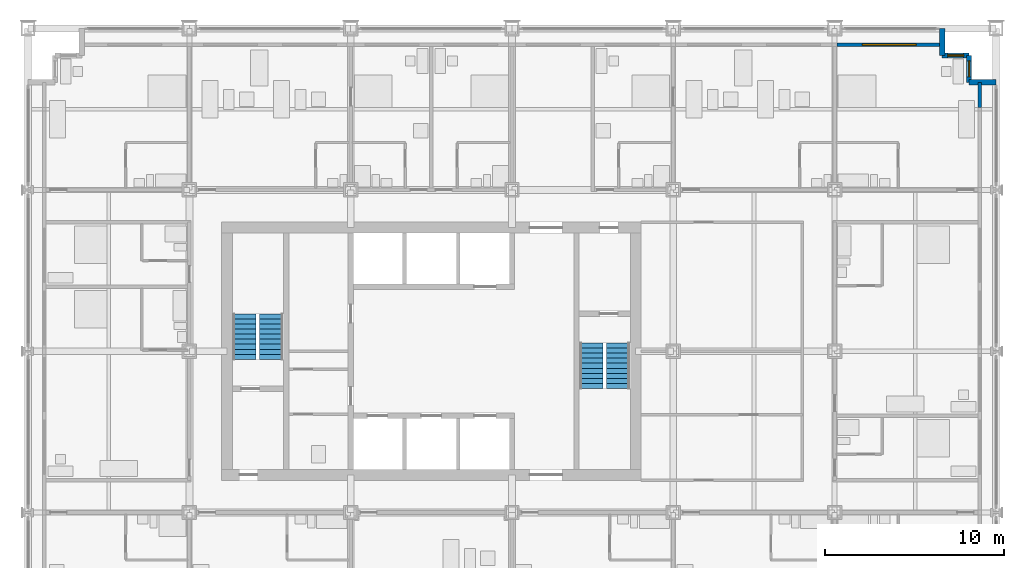
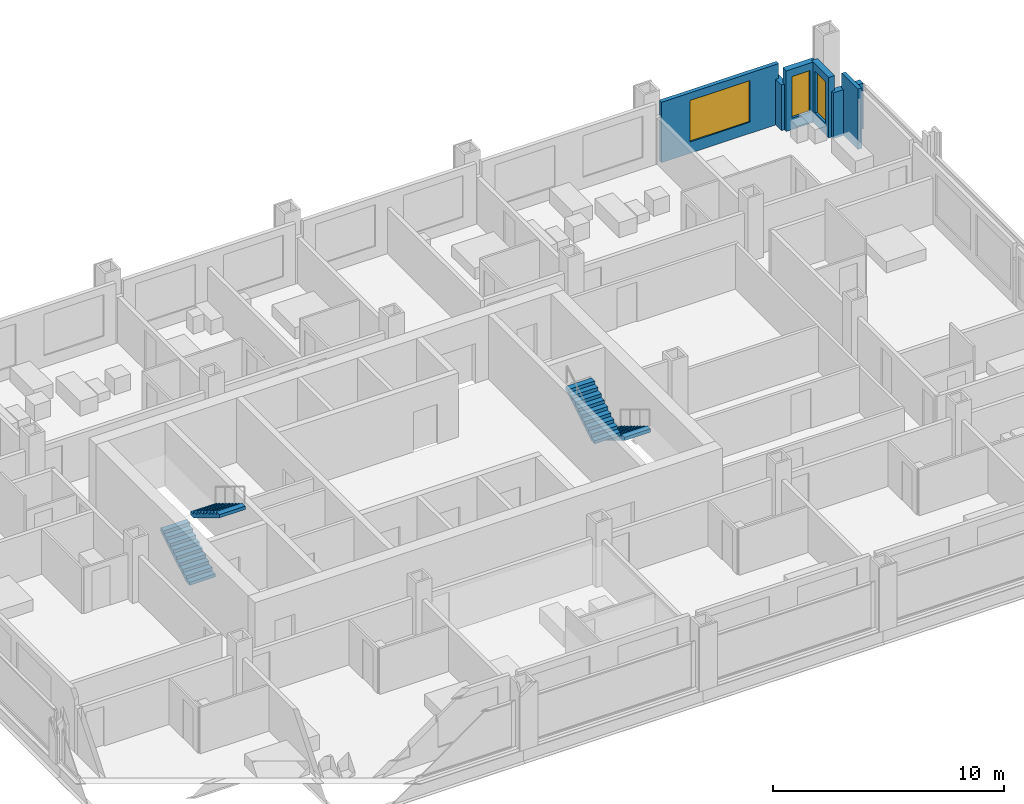
# One storey, part 15 of 18: 6 walls, 4 stair flights, 3 windows, 3 openings, 2 elements without a shape of their own.
"""IFC4 building model written with IfcOpenShell, lengths in metres."""

from ifc_helpers import new_model, si_unit, direction, frame, frame_2d, origin, place, context, subcontext, project, spatial, polyline, rectangle, outline, extrude, material, layer, layer_set, type_object, element, fill, aggregate, save


model = new_model("IFC4")

# Units and contexts
model_context = context("Model", 3, precision=1e-05, world=origin(), true_north=direction((0.0, 1.0)))
body_context = subcontext(model_context, "Body", "Model", "MODEL_VIEW")
ifc_project = project(units=[si_unit("LENGTHUNIT", "METRE"), si_unit("AREAUNIT", "SQUARE_METRE"), si_unit("VOLUMEUNIT", "CUBIC_METRE"), si_unit("PLANEANGLEUNIT", "RADIAN"), si_unit("MASSUNIT", "GRAM", prefix="KILO")], contexts=[model_context])

# Site, building, storey
site_placement = place(None, origin())
site = spatial("IfcSite", under=ifc_project, at=site_placement, CompositionType="ELEMENT")
building_placement = place(site_placement, origin())
building = spatial("IfcBuilding", under=site, at=building_placement, Name="Loomwork Tower", CompositionType="ELEMENT")
storey_placement = place(building_placement, frame((0.0, 0.0, 41.60009765625)))
storey = spatial("IfcBuildingStorey", under=building, at=storey_placement, Name="L09", CompositionType="ELEMENT", Elevation=41.60009765625)

# Wall, opening, window
ifc_material_1 = material(Name="Insulated steel stud wall with gypsum lining", Category="steel")
ifc_layer_1 = layer(ifc_material_1, 0.199951171875)
ifc_layer_set_1 = layer_set([ifc_layer_1], Name="Inner skin wall 200")
wall_type_1 = type_object("IfcWallType", Name="Inner skin wall 200", PredefinedType="SOLIDWALL", material=ifc_layer_set_1)
wall_1_placement = place(storey_placement, frame((45.135498046875, 35.10009765625, 0.0), z_axis=(0.0, 0.0, 1.0), x_axis=(1.0, 0.0, 0.0)))
wall_1 = element("IfcWall", 1, at=wall_1_placement, inside=storey, type_object=wall_type_1, Name="Inner skin wall N bay 11", PredefinedType="SOLIDWALL", context=body_context, shape_type="SweptSolid", body=[
    extrude(rectangle(XDim=5.864501953125, YDim=0.199951171875, at=frame_2d((2.93212890625, 0.0))), origin(), (0.0, 0.0, 1.0), 3.199951171875),
])
opening_1_placement = place(wall_1_placement, frame((1.41455078125, 0.0, 0.60009765625)))
opening_1 = element("IfcOpeningElement", 2, at=opening_1_placement, cuts=wall_1, Name="Opening CH1", PredefinedType="OPENING", context=body_context, shape_type="SweptSolid", body=[
    extrude(rectangle(XDim=3.0, YDim=2.199951171875, at=frame_2d((1.5, 1.10009765625))), frame((0.0, 0.10986328125, 0.0), z_axis=(0.0, -1.0, 0.0), x_axis=(1.0, 0.0, 0.0)), (0.0, 0.0, 1.0), 0.219970703125),
])
ifc_material_2 = material(Name="Aluminium frame with clear insulated glass", Category="aluminium")
window_type_1 = type_object("IfcWindowType", Name="Chicago window 3000", PartitioningType="TRIPLE_PANEL_VERTICAL", PredefinedType="WINDOW", material=ifc_material_2)
window_1_placement = place(opening_1_placement, origin())
window_1 = element("IfcWindow", 3, at=window_1_placement, inside=storey, type_object=window_type_1, Name="Chicago window L09 bay 12", OverallHeight=2.199951171875, OverallWidth=3.0, PartitioningType="TRIPLE_PANEL_VERTICAL", PredefinedType="WINDOW", context=body_context, shape_type="SweptSolid", body=[
    extrude(rectangle(XDim=3.0, YDim=2.199951171875, at=frame_2d((1.5, 1.10009765625))), frame((0.0, 0.030029296875, 0.0), z_axis=(0.0, -1.0, 0.0), x_axis=(1.0, 0.0, 0.0)), (0.0, 0.0, 1.0), 0.06005859375),
])
fill(opening_1, window_1)

# Walls
wall_2_placement = place(storey_placement, frame((53.10009765625, 31.607421875, 0.0), z_axis=(0.0, 0.0, 1.0), x_axis=(0.0, 1.0, 0.0)))
element("IfcWall", 4, at=wall_2_placement, inside=storey, type_object=wall_type_1, Name="Inner skin wall E bay 11", PredefinedType="SOLIDWALL", context=body_context, shape_type="SweptSolid", body=[
    extrude(rectangle(XDim=1.392578125, YDim=0.199951171875, at=frame_2d((0.6962890625, 0.0))), origin(), (0.0, 0.0, 1.0), 3.199951171875),
])
ifc_material_3 = material(Name="Limestone on concrete masonry", Category="masonry")
ifc_layer_2 = layer(ifc_material_3, 0.300048828125)
ifc_layer_set_2 = layer_set([ifc_layer_2], Name="Limestone corner wall 300")
wall_type_2 = type_object("IfcWallType", Name="Limestone corner wall 300", PredefinedType="SOLIDWALL", material=ifc_layer_set_2)
wall_3_placement = place(storey_placement, frame((54.0, 33.0, 0.0), z_axis=(0.0, 0.0, 1.0), x_axis=(-1.0, 0.0, 0.0)))
element("IfcWall", 5, at=wall_3_placement, inside=storey, type_object=wall_type_2, Name="Stone corner wall NE 1", PredefinedType="SOLIDWALL", context=body_context, shape_type="SweptSolid", body=[
    extrude(rectangle(XDim=1.5, YDim=0.300048828125, at=frame_2d((0.75, 0.0))), origin(), (0.0, 0.0, 1.0), 2.419921875),
])

# Wall, opening, window
wall_4_placement = place(storey_placement, frame((52.5, 33.0, 0.0), z_axis=(0.0, 0.0, 1.0), x_axis=(0.0, 1.0, 0.0)))
wall_4 = element("IfcWall", 6, at=wall_4_placement, inside=storey, type_object=wall_type_2, Name="Stone corner wall NE 2", PredefinedType="SOLIDWALL", context=body_context, shape_type="SweptSolid", body=[
    extrude(rectangle(XDim=1.5, YDim=0.300048828125, at=frame_2d((0.75, 0.0))), origin(), (0.0, 0.0, 1.0), 3.199951171875),
])
opening_2_placement = place(wall_4_placement, frame((0.300048828125, 0.0, 0.60009765625)))
opening_2 = element("IfcOpeningElement", 7, at=opening_2_placement, cuts=wall_4, Name="Opening CH2", PredefinedType="OPENING", context=body_context, shape_type="SweptSolid", body=[
    extrude(rectangle(XDim=0.89990234375, YDim=2.199951171875, at=frame_2d((0.449951171875, 1.10009765625))), frame((0.0, 0.159912109375, 0.0), z_axis=(0.0, -1.0, 0.0), x_axis=(1.0, 0.0, 0.0)), (0.0, 0.0, 1.0), 0.320068359375),
])
ifc_material_4 = material(Name="Aluminium frame with clear insulated glass", Category="aluminium")
window_type_2 = type_object("IfcWindowType", Name="Corner window 900", PartitioningType="SINGLE_PANEL", PredefinedType="WINDOW", material=ifc_material_4)
window_2_placement = place(opening_2_placement, origin())
window_2 = element("IfcWindow", 8, at=window_2_placement, inside=storey, type_object=window_type_2, Name="Corner window NE", OverallHeight=2.199951171875, OverallWidth=0.89990234375, PartitioningType="SINGLE_PANEL", PredefinedType="WINDOW", context=body_context, shape_type="SweptSolid", body=[
    extrude(rectangle(XDim=0.89990234375, YDim=2.199951171875, at=frame_2d((0.449951171875, 1.10009765625))), frame((0.0, 0.030029296875, 0.0), z_axis=(0.0, -1.0, 0.0), x_axis=(1.0, 0.0, 0.0)), (0.0, 0.0, 1.0), 0.06005859375),
])
fill(opening_2, window_2)

wall_5_placement = place(storey_placement, frame((52.5, 34.5, 0.0), z_axis=(0.0, 0.0, 1.0), x_axis=(-1.0, 0.0, 0.0)))
wall_5 = element("IfcWall", 9, at=wall_5_placement, inside=storey, type_object=wall_type_2, Name="Stone corner wall NE 3", PredefinedType="SOLIDWALL", context=body_context, shape_type="SweptSolid", body=[
    extrude(rectangle(XDim=1.5, YDim=0.300048828125, at=frame_2d((0.75, 0.0))), origin(), (0.0, 0.0, 1.0), 3.199951171875),
])
opening_3_placement = place(wall_5_placement, frame((0.300048828125, 0.0, 0.60009765625)))
opening_3 = element("IfcOpeningElement", 10, at=opening_3_placement, cuts=wall_5, Name="Opening CH2", PredefinedType="OPENING", context=body_context, shape_type="SweptSolid", body=[
    extrude(rectangle(XDim=0.89990234375, YDim=2.199951171875, at=frame_2d((0.449951171875, 1.10009765625))), frame((0.0, 0.159912109375, 0.0), z_axis=(0.0, -1.0, 0.0), x_axis=(1.0, 0.0, 0.0)), (0.0, 0.0, 1.0), 0.320068359375),
])
window_3_placement = place(opening_3_placement, origin())
window_3 = element("IfcWindow", 11, at=window_3_placement, inside=storey, type_object=window_type_2, Name="Corner window NE", OverallHeight=2.199951171875, OverallWidth=0.89990234375, PartitioningType="SINGLE_PANEL", PredefinedType="WINDOW", context=body_context, shape_type="SweptSolid", body=[
    extrude(rectangle(XDim=0.89990234375, YDim=2.199951171875, at=frame_2d((0.449951171875, 1.10009765625))), frame((0.0, 0.030029296875, 0.0), z_axis=(0.0, -1.0, 0.0), x_axis=(1.0, 0.0, 0.0)), (0.0, 0.0, 1.0), 0.06005859375),
])
fill(opening_3, window_3)

# Wall
wall_6_placement = place(storey_placement, frame((51.0, 34.5, 0.0), z_axis=(0.0, 0.0, 1.0), x_axis=(0.0, 1.0, 0.0)))
element("IfcWall", 12, at=wall_6_placement, inside=storey, type_object=wall_type_2, Name="Stone corner wall NE 4", PredefinedType="SOLIDWALL", context=body_context, shape_type="SweptSolid", body=[
    extrude(rectangle(XDim=1.5, YDim=0.300048828125, at=frame_2d((0.75, 0.0))), origin(), (0.0, 0.0, 1.0), 2.419921875),
])

# Stair, stair flights
ifc_material_5 = material(Name="Concrete 5000 psi (34 MPa) precast stair", Category="concrete")
stair_type_1 = type_object("IfcStairType", Name="Stair ST-A 20 risers 2850 wide", PredefinedType="HALF_TURN_STAIR", material=ifc_material_5)
stair_1_placement = place(storey_placement, origin())
stair_1 = element("IfcStair", 13, at=stair_1_placement, inside=storey, type_object=stair_type_1, Name="Stair A L09", PredefinedType="HALF_TURN_STAIR")
ifc_material_6 = material(Name="Concrete 5000 psi (34 MPa) precast stair", Category="concrete")
stair_flight_type_1 = type_object("IfcStairFlightType", Name="Stair flight ST-A 10 risers 1300 wide", PredefinedType="STRAIGHT", material=ifc_material_6)
stair_flight_1_placement = place(storey_placement, frame((12.074951171875, 17.550048828125, 0.0), z_axis=(0.0, 0.0, 1.0), x_axis=(0.0, 1.0, 0.0)))
stair_flight_1 = element("IfcStairFlight", 14, at=stair_flight_1_placement, type_object=stair_flight_type_1, Name="ST-A flight 1", NumberOfRisers=10, NumberOfTreads=9, PredefinedType="STRAIGHT", RiserHeight=0.17, TreadLength=0.28, context=body_context, shape_type="SweptSolid", body=[
    extrude(outline(polyline([(0.0, 0.0), (0.0, 0.169921875), (0.280029296875, 0.169921875), (0.280029296875, 0.340087890625), (0.56005859375, 0.340087890625), (0.56005859375, 0.510009765625), (0.840087890625, 0.510009765625), (0.840087890625, 0.679931640625), (1.1201171875, 0.679931640625), (1.1201171875, 0.85009765625), (1.39990234375, 0.85009765625), (1.39990234375, 1.02001953125), (1.679931640625, 1.02001953125), (1.679931640625, 1.18994140625), (1.9599609375, 1.18994140625), (1.9599609375, 1.360107421875), (2.239990234375, 1.360107421875), (2.239990234375, 1.530029296875), (2.52001953125, 1.530029296875), (2.52001953125, 1.699951171875), (2.52001953125, 1.354736328125), (0.288818359375, 0.0), (0.0, 0.0)])), frame((0.0, 0.64990234375, 0.0), z_axis=(0.0, -1.0, 0.0), x_axis=(1.0, 0.0, 0.0)), (0.0, 0.0, 1.0), 1.300048828125),
])
stair_flight_2_placement = place(storey_placement, frame((13.574951171875, 20.070068359375, 1.699951171875), z_axis=(0.0, 0.0, 1.0), x_axis=(0.0, -1.0, 0.0)))
stair_flight_2 = element("IfcStairFlight", 15, at=stair_flight_2_placement, type_object=stair_flight_type_1, Name="ST-A flight 2", NumberOfRisers=10, NumberOfTreads=9, PredefinedType="STRAIGHT", RiserHeight=0.17, TreadLength=0.28, context=body_context, shape_type="SweptSolid", body=[
    extrude(outline(polyline([(0.0, 0.0), (0.0, 0.169921875), (0.280029296875, 0.169921875), (0.280029296875, 0.340087890625), (0.56005859375, 0.340087890625), (0.56005859375, 0.510009765625), (0.840087890625, 0.510009765625), (0.840087890625, 0.679931640625), (1.1201171875, 0.679931640625), (1.1201171875, 0.85009765625), (1.39990234375, 0.85009765625), (1.39990234375, 1.02001953125), (1.679931640625, 1.02001953125), (1.679931640625, 1.18994140625), (1.9599609375, 1.18994140625), (1.9599609375, 1.360107421875), (2.239990234375, 1.360107421875), (2.239990234375, 1.530029296875), (2.52001953125, 1.530029296875), (2.52001953125, 1.699951171875), (2.52001953125, 1.354736328125), (0.288818359375, 0.0), (0.0, 0.0)])), frame((0.0, 0.64990234375, 0.0), z_axis=(0.0, -1.0, 0.0), x_axis=(1.0, 0.0, 0.0)), (0.0, 0.0, 1.0), 1.300048828125),
])
aggregate(stair_1, [stair_flight_1, stair_flight_2])

ifc_material_7 = material(Name="Concrete 5000 psi (34 MPa) precast stair", Category="concrete")
stair_type_2 = type_object("IfcStairType", Name="Stair ST-B 20 risers 2850 wide", PredefinedType="HALF_TURN_STAIR", material=ifc_material_7)
stair_2_placement = place(storey_placement, origin())
stair_2 = element("IfcStair", 16, at=stair_2_placement, inside=storey, type_object=stair_type_2, Name="Stair B L09", PredefinedType="HALF_TURN_STAIR")
ifc_material_8 = material(Name="Concrete 5000 psi (34 MPa) precast stair", Category="concrete")
stair_flight_type_2 = type_object("IfcStairFlightType", Name="Stair flight ST-B 10 risers 1300 wide", PredefinedType="STRAIGHT", material=ifc_material_8)
stair_flight_3_placement = place(storey_placement, frame((32.925048828125, 18.449951171875, 0.0), z_axis=(0.0, 0.0, 1.0), x_axis=(0.0, -1.0, 0.0)))
stair_flight_3 = element("IfcStairFlight", 17, at=stair_flight_3_placement, type_object=stair_flight_type_2, Name="ST-B flight 1", NumberOfRisers=10, NumberOfTreads=9, PredefinedType="STRAIGHT", RiserHeight=0.17, TreadLength=0.28, context=body_context, shape_type="SweptSolid", body=[
    extrude(outline(polyline([(0.0, 0.0), (0.0, 0.169921875), (0.280029296875, 0.169921875), (0.280029296875, 0.340087890625), (0.56005859375, 0.340087890625), (0.56005859375, 0.510009765625), (0.840087890625, 0.510009765625), (0.840087890625, 0.679931640625), (1.1201171875, 0.679931640625), (1.1201171875, 0.85009765625), (1.39990234375, 0.85009765625), (1.39990234375, 1.02001953125), (1.679931640625, 1.02001953125), (1.679931640625, 1.18994140625), (1.9599609375, 1.18994140625), (1.9599609375, 1.360107421875), (2.239990234375, 1.360107421875), (2.239990234375, 1.530029296875), (2.52001953125, 1.530029296875), (2.52001953125, 1.699951171875), (2.52001953125, 1.354736328125), (0.288818359375, 0.0), (0.0, 0.0)])), frame((0.0, 0.64990234375, 0.0), z_axis=(0.0, -1.0, 0.0), x_axis=(1.0, 0.0, 0.0)), (0.0, 0.0, 1.0), 1.300048828125),
])
stair_flight_4_placement = place(storey_placement, frame((31.425048828125, 15.929931640625, 1.699951171875), z_axis=(0.0, 0.0, 1.0), x_axis=(0.0, 1.0, 0.0)))
stair_flight_4 = element("IfcStairFlight", 18, at=stair_flight_4_placement, type_object=stair_flight_type_2, Name="ST-B flight 2", NumberOfRisers=10, NumberOfTreads=9, PredefinedType="STRAIGHT", RiserHeight=0.17, TreadLength=0.28, context=body_context, shape_type="SweptSolid", body=[
    extrude(outline(polyline([(0.0, 0.0), (0.0, 0.169921875), (0.280029296875, 0.169921875), (0.280029296875, 0.340087890625), (0.56005859375, 0.340087890625), (0.56005859375, 0.510009765625), (0.840087890625, 0.510009765625), (0.840087890625, 0.679931640625), (1.1201171875, 0.679931640625), (1.1201171875, 0.85009765625), (1.39990234375, 0.85009765625), (1.39990234375, 1.02001953125), (1.679931640625, 1.02001953125), (1.679931640625, 1.18994140625), (1.9599609375, 1.18994140625), (1.9599609375, 1.360107421875), (2.239990234375, 1.360107421875), (2.239990234375, 1.530029296875), (2.52001953125, 1.530029296875), (2.52001953125, 1.699951171875), (2.52001953125, 1.354736328125), (0.288818359375, 0.0), (0.0, 0.0)])), frame((0.0, 0.64990234375, 0.0), z_axis=(0.0, -1.0, 0.0), x_axis=(1.0, 0.0, 0.0)), (0.0, 0.0, 1.0), 1.300048828125),
])
aggregate(stair_2, [stair_flight_3, stair_flight_4])

save(model, "model.ifc")
